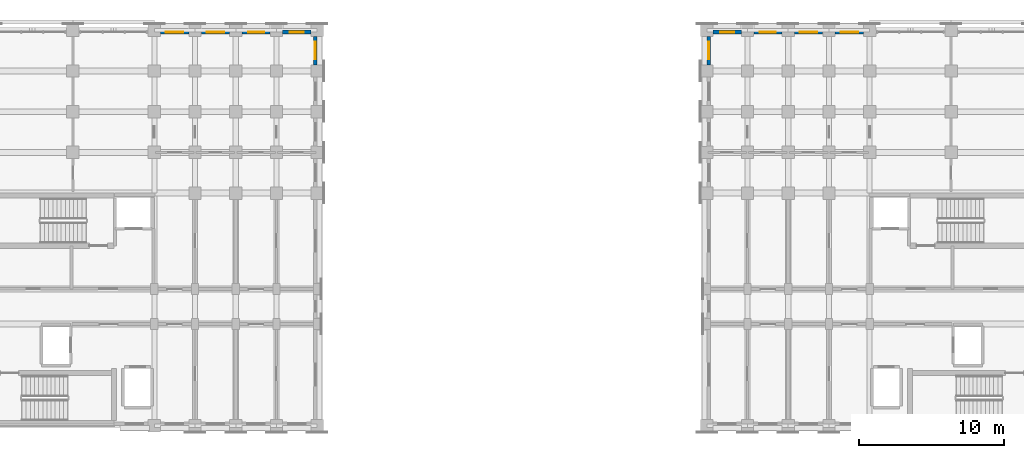
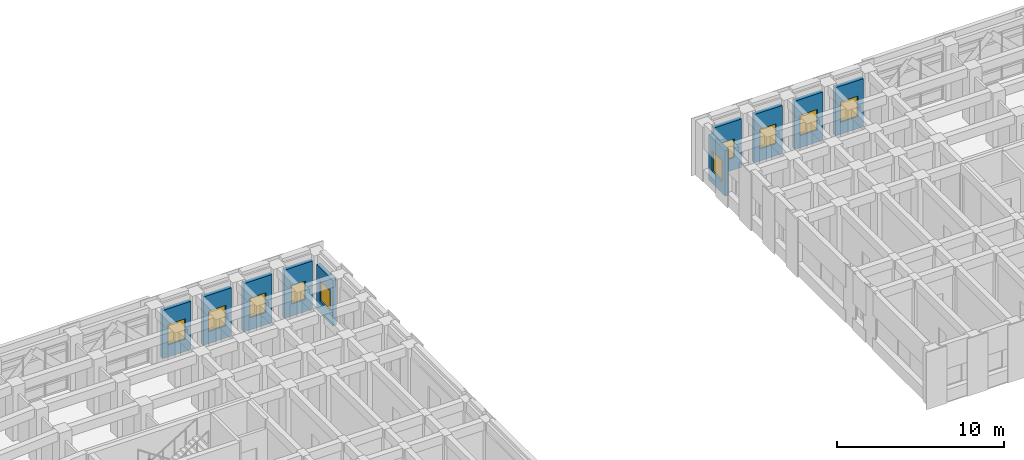
# One storey, part 79 of 97: 10 walls, 10 windows, 10 openings.
"""IFC4 building model written with IfcOpenShell, lengths in metres."""

from ifc_helpers import new_model, si_unit, direction, frame, frame_2d, origin, place, context, subcontext, project, spatial, rectangle, extrude, material, layer, layer_set, type_object, element, fill, save


model = new_model("IFC4")

# Units and contexts
model_context = context("Model", 3, precision=1e-05, world=origin(), true_north=direction((0.0, 1.0)))
body_context = subcontext(model_context, "Body", "Model", "MODEL_VIEW")
ifc_project = project(units=[si_unit("LENGTHUNIT", "METRE"), si_unit("AREAUNIT", "SQUARE_METRE"), si_unit("VOLUMEUNIT", "CUBIC_METRE"), si_unit("PLANEANGLEUNIT", "RADIAN"), si_unit("MASSUNIT", "GRAM", prefix="KILO")], contexts=[model_context])

# Site, building, storey
site_placement = place(None, origin())
site = spatial("IfcSite", under=ifc_project, at=site_placement, CompositionType="ELEMENT")
building_placement = place(site_placement, origin())
building = spatial("IfcBuilding", under=site, at=building_placement, Name="Kiranvali Square Residences", CompositionType="ELEMENT")
storey_placement = place(building_placement, frame((0.0, 0.0, 4.5)))
storey = spatial("IfcBuildingStorey", under=building, at=storey_placement, Name="L01", CompositionType="ELEMENT", Elevation=4.5)

# Wall, opening, window
ifc_material_1 = material(Name="Breathable lime-rendered clay brick masonry", Category="masonry")
ifc_layer = layer(ifc_material_1, 0.25)
ifc_layer_set = layer_set([ifc_layer], Name="Breathable lime-rendered clay brick masonry")
wall_type = type_object("IfcWallType", Name="WL-EXT-250", PredefinedType="STANDARD", material=ifc_layer_set)
wall_1_placement = place(storey_placement, frame((59.82861328125, 133.675048828125, 0.0), z_axis=(0.0, 0.0, 1.0), x_axis=(1.0, 0.0, 0.0)))
wall_1 = element("IfcWall", 1, at=wall_1_placement, inside=storey, type_object=wall_type, Name="L01 exterior wall A-L01-A1O-2", PredefinedType="STANDARD", context=body_context, shape_type="SweptSolid", body=[
    extrude(rectangle(XDim=1.94287109375, YDim=0.25, at=frame_2d((0.971435546875, 0.0))), origin(), (0.0, 0.0, 1.0), 3.52197265625),
])
opening_1_placement = place(wall_1_placement, frame((0.37158203125, 0.0, 0.8798828125)))
opening_1 = element("IfcOpeningElement", 2, at=opening_1_placement, cuts=wall_1, Name="Opening W-06", PredefinedType="OPENING", context=body_context, shape_type="SweptSolid", body=[
    extrude(rectangle(XDim=1.199951171875, YDim=1.5, at=frame_2d((0.60009765625, 0.75))), frame((0.0, 0.135009765625, 0.0), z_axis=(0.0, -1.0, 0.0), x_axis=(1.0, 0.0, 0.0)), (0.0, 0.0, 1.0), 0.27001953125),
])
ifc_material_2 = material(Name="Solar-control low-e double glazing", Category="glass")
window_type_1 = type_object("IfcWindowType", Name="WIN-RES-1200x1500", PartitioningType="SINGLE_PANEL", PredefinedType="WINDOW", material=ifc_material_2)
window_1_placement = place(opening_1_placement, origin())
window_1 = element("IfcWindow", 3, at=window_1_placement, inside=storey, type_object=window_type_1, Name="L01 recessed window A-L01-A1O-2", OverallHeight=1.5, OverallWidth=1.199951171875, PartitioningType="SINGLE_PANEL", PredefinedType="WINDOW", context=body_context, shape_type="SweptSolid", body=[
    extrude(rectangle(XDim=1.199951171875, YDim=1.5, at=frame_2d((0.60009765625, 0.75))), frame((0.0, 0.030029296875, 0.0), z_axis=(0.0, -1.0, 0.0), x_axis=(1.0, 0.0, 0.0)), (0.0, 0.0, 1.0), 0.06005859375),
])
fill(opening_1, window_1)

wall_2_placement = place(storey_placement, frame((62.62841796875, 133.675048828125, 0.0), z_axis=(0.0, 0.0, 1.0), x_axis=(1.0, 0.0, 0.0)))
wall_2 = element("IfcWall", 4, at=wall_2_placement, inside=storey, type_object=wall_type, Name="L01 exterior wall A-L01-A1O-3", PredefinedType="STANDARD", context=body_context, shape_type="SweptSolid", body=[
    extrude(rectangle(XDim=1.943115234375, YDim=0.25, at=frame_2d((0.9716796875, 0.0))), origin(), (0.0, 0.0, 1.0), 3.52197265625),
])
opening_2_placement = place(wall_2_placement, frame((0.37158203125, 0.0, 0.8798828125)))
opening_2 = element("IfcOpeningElement", 5, at=opening_2_placement, cuts=wall_2, Name="Opening W-06", PredefinedType="OPENING", context=body_context, shape_type="SweptSolid", body=[
    extrude(rectangle(XDim=1.199951171875, YDim=1.5, at=frame_2d((0.60009765625, 0.75))), frame((0.0, 0.135009765625, 0.0), z_axis=(0.0, -1.0, 0.0), x_axis=(1.0, 0.0, 0.0)), (0.0, 0.0, 1.0), 0.27001953125),
])
window_2_placement = place(opening_2_placement, origin())
window_2 = element("IfcWindow", 6, at=window_2_placement, inside=storey, type_object=window_type_1, Name="L01 recessed window A-L01-A1O-3", OverallHeight=1.5, OverallWidth=1.199951171875, PartitioningType="SINGLE_PANEL", PredefinedType="WINDOW", context=body_context, shape_type="SweptSolid", body=[
    extrude(rectangle(XDim=1.199951171875, YDim=1.5, at=frame_2d((0.60009765625, 0.75))), frame((0.0, 0.030029296875, 0.0), z_axis=(0.0, -1.0, 0.0), x_axis=(1.0, 0.0, 0.0)), (0.0, 0.0, 1.0), 0.06005859375),
])
fill(opening_2, window_2)

wall_3_placement = place(storey_placement, frame((65.428466796875, 133.675048828125, 0.0), z_axis=(0.0, 0.0, 1.0), x_axis=(1.0, 0.0, 0.0)))
wall_3 = element("IfcWall", 7, at=wall_3_placement, inside=storey, type_object=wall_type, Name="L01 exterior wall A-L01-A1O-4", PredefinedType="STANDARD", context=body_context, shape_type="SweptSolid", body=[
    extrude(rectangle(XDim=1.943115234375, YDim=0.25, at=frame_2d((0.9716796875, 0.0))), origin(), (0.0, 0.0, 1.0), 3.52197265625),
])
opening_3_placement = place(wall_3_placement, frame((0.42138671875, 0.0, 0.8798828125)))
opening_3 = element("IfcOpeningElement", 8, at=opening_3_placement, cuts=wall_3, Name="Opening W-15", PredefinedType="OPENING", context=body_context, shape_type="SweptSolid", body=[
    extrude(rectangle(XDim=1.10009765625, YDim=1.449951171875, at=frame_2d((0.550048828125, 0.72509765625))), frame((0.0, 0.135009765625, 0.0), z_axis=(0.0, -1.0, 0.0), x_axis=(1.0, 0.0, 0.0)), (0.0, 0.0, 1.0), 0.27001953125),
])
window_type_2 = type_object("IfcWindowType", Name="WIN-RES-1100x1450", PartitioningType="SINGLE_PANEL", PredefinedType="WINDOW", material=ifc_material_2)
window_3_placement = place(opening_3_placement, origin())
window_3 = element("IfcWindow", 9, at=window_3_placement, inside=storey, type_object=window_type_2, Name="L01 recessed window A-L01-A1O-4", OverallHeight=1.449951171875, OverallWidth=1.10009765625, PartitioningType="SINGLE_PANEL", PredefinedType="WINDOW", context=body_context, shape_type="SweptSolid", body=[
    extrude(rectangle(XDim=1.10009765625, YDim=1.449951171875, at=frame_2d((0.550048828125, 0.72509765625))), frame((0.0, 0.030029296875, 0.0), z_axis=(0.0, -1.0, 0.0), x_axis=(1.0, 0.0, 0.0)), (0.0, 0.0, 1.0), 0.06005859375),
])
fill(opening_3, window_3)

wall_4_placement = place(storey_placement, frame((68.228515625, 133.675048828125, 0.0), z_axis=(0.0, 0.0, 1.0), x_axis=(1.0, 0.0, 0.0)))
wall_4 = element("IfcWall", 10, at=wall_4_placement, inside=storey, type_object=wall_type, Name="L01 exterior wall A-L01-A1O-5", PredefinedType="STANDARD", context=body_context, shape_type="SweptSolid", body=[
    extrude(rectangle(XDim=1.94287109375, YDim=0.25, at=frame_2d((0.971435546875, 0.0))), origin(), (0.0, 0.0, 1.0), 3.52197265625),
])
opening_4_placement = place(wall_4_placement, frame((0.49658203125, 0.0, 0.8798828125)))
opening_4 = element("IfcOpeningElement", 11, at=opening_4_placement, cuts=wall_4, Name="Opening W-16", PredefinedType="OPENING", context=body_context, shape_type="SweptSolid", body=[
    extrude(rectangle(XDim=0.949951171875, YDim=1.35009765625, at=frame_2d((0.47509765625, 0.675048828125))), frame((0.0, 0.135009765625, 0.0), z_axis=(0.0, -1.0, 0.0), x_axis=(1.0, 0.0, 0.0)), (0.0, 0.0, 1.0), 0.27001953125),
])
window_type_3 = type_object("IfcWindowType", Name="WIN-RES-950x1350", PartitioningType="SINGLE_PANEL", PredefinedType="WINDOW", material=ifc_material_2)
window_4_placement = place(opening_4_placement, origin())
window_4 = element("IfcWindow", 12, at=window_4_placement, inside=storey, type_object=window_type_3, Name="L01 recessed window A-L01-A1O-5", OverallHeight=1.35009765625, OverallWidth=0.949951171875, PartitioningType="SINGLE_PANEL", PredefinedType="WINDOW", context=body_context, shape_type="SweptSolid", body=[
    extrude(rectangle(XDim=0.949951171875, YDim=1.35009765625, at=frame_2d((0.47509765625, 0.675048828125))), frame((0.0, 0.030029296875, 0.0), z_axis=(0.0, -1.0, 0.0), x_axis=(1.0, 0.0, 0.0)), (0.0, 0.0, 1.0), 0.06005859375),
])
fill(opening_4, window_4)

wall_5_placement = place(storey_placement, frame((70.47509765625, 131.419921875, 0.0), z_axis=(0.0, 0.0, 1.0), x_axis=(0.0, 1.0, 0.0)))
wall_5 = element("IfcWall", 13, at=wall_5_placement, inside=storey, type_object=wall_type, Name="L01 exterior wall A-L01-A1END-6", PredefinedType="STANDARD", context=body_context, shape_type="SweptSolid", body=[
    extrude(rectangle(XDim=1.9599609375, YDim=0.25, at=frame_2d((0.97998046875, 0.0))), origin(), (0.0, 0.0, 1.0), 3.322021484375),
])
opening_5_placement = place(wall_5_placement, frame((0.3798828125, 0.0, 0.8798828125)))
opening_5 = element("IfcOpeningElement", 14, at=opening_5_placement, cuts=wall_5, Name="Opening W-06", PredefinedType="OPENING", context=body_context, shape_type="SweptSolid", body=[
    extrude(rectangle(XDim=1.199951171875, YDim=1.5, at=frame_2d((0.60009765625, 0.75))), frame((0.0, 0.135009765625, 0.0), z_axis=(0.0, -1.0, 0.0), x_axis=(1.0, 0.0, 0.0)), (0.0, 0.0, 1.0), 0.27001953125),
])
window_5_placement = place(opening_5_placement, origin())
window_5 = element("IfcWindow", 15, at=window_5_placement, inside=storey, type_object=window_type_1, Name="L01 recessed window A-L01-A1END-6", OverallHeight=1.5, OverallWidth=1.199951171875, PartitioningType="SINGLE_PANEL", PredefinedType="WINDOW", context=body_context, shape_type="SweptSolid", body=[
    extrude(rectangle(XDim=1.199951171875, YDim=1.5, at=frame_2d((0.60009765625, 0.75))), frame((0.0, 0.030029296875, 0.0), z_axis=(0.0, -1.0, 0.0), x_axis=(1.0, 0.0, 0.0)), (0.0, 0.0, 1.0), 0.06005859375),
])
fill(opening_5, window_5)

wall_6_placement = place(storey_placement, frame((108.17138671875, 133.675048828125, 0.0), z_axis=(0.0, 0.0, 1.0), x_axis=(-1.0, 0.0, 0.0)))
wall_6 = element("IfcWall", 16, at=wall_6_placement, inside=storey, type_object=wall_type, Name="L01 exterior wall B-L01-A1O-2", PredefinedType="STANDARD", context=body_context, shape_type="SweptSolid", body=[
    extrude(rectangle(XDim=1.94287109375, YDim=0.25, at=frame_2d((0.971435546875, 0.0))), origin(), (0.0, 0.0, 1.0), 3.52197265625),
])
opening_6_placement = place(wall_6_placement, frame((0.37158203125, 0.0, 0.8798828125)))
opening_6 = element("IfcOpeningElement", 17, at=opening_6_placement, cuts=wall_6, Name="Opening W-06", PredefinedType="OPENING", context=body_context, shape_type="SweptSolid", body=[
    extrude(rectangle(XDim=1.199951171875, YDim=1.5, at=frame_2d((0.60009765625, 0.75))), frame((0.0, 0.135009765625, 0.0), z_axis=(0.0, -1.0, 0.0), x_axis=(1.0, 0.0, 0.0)), (0.0, 0.0, 1.0), 0.27001953125),
])
window_6_placement = place(opening_6_placement, origin())
window_6 = element("IfcWindow", 18, at=window_6_placement, inside=storey, type_object=window_type_1, Name="L01 recessed window B-L01-A1O-2", OverallHeight=1.5, OverallWidth=1.199951171875, PartitioningType="SINGLE_PANEL", PredefinedType="WINDOW", context=body_context, shape_type="SweptSolid", body=[
    extrude(rectangle(XDim=1.199951171875, YDim=1.5, at=frame_2d((0.60009765625, 0.75))), frame((0.0, 0.030029296875, 0.0), z_axis=(0.0, -1.0, 0.0), x_axis=(1.0, 0.0, 0.0)), (0.0, 0.0, 1.0), 0.06005859375),
])
fill(opening_6, window_6)

wall_7_placement = place(storey_placement, frame((105.37158203125, 133.675048828125, 0.0), z_axis=(0.0, 0.0, 1.0), x_axis=(-1.0, 0.0, 0.0)))
wall_7 = element("IfcWall", 19, at=wall_7_placement, inside=storey, type_object=wall_type, Name="L01 exterior wall B-L01-A1O-3", PredefinedType="STANDARD", context=body_context, shape_type="SweptSolid", body=[
    extrude(rectangle(XDim=1.943115234375, YDim=0.25, at=frame_2d((0.9716796875, 0.0))), origin(), (0.0, 0.0, 1.0), 3.52197265625),
])
opening_7_placement = place(wall_7_placement, frame((0.37158203125, 0.0, 0.8798828125)))
opening_7 = element("IfcOpeningElement", 20, at=opening_7_placement, cuts=wall_7, Name="Opening W-06", PredefinedType="OPENING", context=body_context, shape_type="SweptSolid", body=[
    extrude(rectangle(XDim=1.199951171875, YDim=1.5, at=frame_2d((0.60009765625, 0.75))), frame((0.0, 0.135009765625, 0.0), z_axis=(0.0, -1.0, 0.0), x_axis=(1.0, 0.0, 0.0)), (0.0, 0.0, 1.0), 0.27001953125),
])
window_7_placement = place(opening_7_placement, origin())
window_7 = element("IfcWindow", 21, at=window_7_placement, inside=storey, type_object=window_type_1, Name="L01 recessed window B-L01-A1O-3", OverallHeight=1.5, OverallWidth=1.199951171875, PartitioningType="SINGLE_PANEL", PredefinedType="WINDOW", context=body_context, shape_type="SweptSolid", body=[
    extrude(rectangle(XDim=1.199951171875, YDim=1.5, at=frame_2d((0.60009765625, 0.75))), frame((0.0, 0.030029296875, 0.0), z_axis=(0.0, -1.0, 0.0), x_axis=(1.0, 0.0, 0.0)), (0.0, 0.0, 1.0), 0.06005859375),
])
fill(opening_7, window_7)

wall_8_placement = place(storey_placement, frame((102.571533203125, 133.675048828125, 0.0), z_axis=(0.0, 0.0, 1.0), x_axis=(-1.0, 0.0, 0.0)))
wall_8 = element("IfcWall", 22, at=wall_8_placement, inside=storey, type_object=wall_type, Name="L01 exterior wall B-L01-A1O-4", PredefinedType="STANDARD", context=body_context, shape_type="SweptSolid", body=[
    extrude(rectangle(XDim=1.943115234375, YDim=0.25, at=frame_2d((0.9716796875, 0.0))), origin(), (0.0, 0.0, 1.0), 3.52197265625),
])
opening_8_placement = place(wall_8_placement, frame((0.42138671875, 0.0, 0.8798828125)))
opening_8 = element("IfcOpeningElement", 23, at=opening_8_placement, cuts=wall_8, Name="Opening W-15", PredefinedType="OPENING", context=body_context, shape_type="SweptSolid", body=[
    extrude(rectangle(XDim=1.10009765625, YDim=1.449951171875, at=frame_2d((0.550048828125, 0.72509765625))), frame((0.0, 0.135009765625, 0.0), z_axis=(0.0, -1.0, 0.0), x_axis=(1.0, 0.0, 0.0)), (0.0, 0.0, 1.0), 0.27001953125),
])
window_8_placement = place(opening_8_placement, origin())
window_8 = element("IfcWindow", 24, at=window_8_placement, inside=storey, type_object=window_type_2, Name="L01 recessed window B-L01-A1O-4", OverallHeight=1.449951171875, OverallWidth=1.10009765625, PartitioningType="SINGLE_PANEL", PredefinedType="WINDOW", context=body_context, shape_type="SweptSolid", body=[
    extrude(rectangle(XDim=1.10009765625, YDim=1.449951171875, at=frame_2d((0.550048828125, 0.72509765625))), frame((0.0, 0.030029296875, 0.0), z_axis=(0.0, -1.0, 0.0), x_axis=(1.0, 0.0, 0.0)), (0.0, 0.0, 1.0), 0.06005859375),
])
fill(opening_8, window_8)

wall_9_placement = place(storey_placement, frame((99.771484375, 133.675048828125, 0.0), z_axis=(0.0, 0.0, 1.0), x_axis=(-1.0, 0.0, 0.0)))
wall_9 = element("IfcWall", 25, at=wall_9_placement, inside=storey, type_object=wall_type, Name="L01 exterior wall B-L01-A1O-5", PredefinedType="STANDARD", context=body_context, shape_type="SweptSolid", body=[
    extrude(rectangle(XDim=1.94287109375, YDim=0.25, at=frame_2d((0.971435546875, 0.0))), origin(), (0.0, 0.0, 1.0), 3.52197265625),
])
opening_9_placement = place(wall_9_placement, frame((0.49658203125, 0.0, 0.8798828125)))
opening_9 = element("IfcOpeningElement", 26, at=opening_9_placement, cuts=wall_9, Name="Opening W-16", PredefinedType="OPENING", context=body_context, shape_type="SweptSolid", body=[
    extrude(rectangle(XDim=0.949951171875, YDim=1.35009765625, at=frame_2d((0.47509765625, 0.675048828125))), frame((0.0, 0.135009765625, 0.0), z_axis=(0.0, -1.0, 0.0), x_axis=(1.0, 0.0, 0.0)), (0.0, 0.0, 1.0), 0.27001953125),
])
window_9_placement = place(opening_9_placement, origin())
window_9 = element("IfcWindow", 27, at=window_9_placement, inside=storey, type_object=window_type_3, Name="L01 recessed window B-L01-A1O-5", OverallHeight=1.35009765625, OverallWidth=0.949951171875, PartitioningType="SINGLE_PANEL", PredefinedType="WINDOW", context=body_context, shape_type="SweptSolid", body=[
    extrude(rectangle(XDim=0.949951171875, YDim=1.35009765625, at=frame_2d((0.47509765625, 0.675048828125))), frame((0.0, 0.030029296875, 0.0), z_axis=(0.0, -1.0, 0.0), x_axis=(1.0, 0.0, 0.0)), (0.0, 0.0, 1.0), 0.06005859375),
])
fill(opening_9, window_9)

wall_10_placement = place(storey_placement, frame((97.52490234375, 131.419921875, 0.0), z_axis=(0.0, 0.0, 1.0), x_axis=(0.0, 1.0, 0.0)))
wall_10 = element("IfcWall", 28, at=wall_10_placement, inside=storey, type_object=wall_type, Name="L01 exterior wall B-L01-A1END-6", PredefinedType="STANDARD", context=body_context, shape_type="SweptSolid", body=[
    extrude(rectangle(XDim=1.9599609375, YDim=0.25, at=frame_2d((0.97998046875, 0.0))), origin(), (0.0, 0.0, 1.0), 3.322021484375),
])
opening_10_placement = place(wall_10_placement, frame((0.3798828125, 0.0, 0.8798828125)))
opening_10 = element("IfcOpeningElement", 29, at=opening_10_placement, cuts=wall_10, Name="Opening W-06", PredefinedType="OPENING", context=body_context, shape_type="SweptSolid", body=[
    extrude(rectangle(XDim=1.199951171875, YDim=1.5, at=frame_2d((0.60009765625, 0.75))), frame((0.0, 0.135009765625, 0.0), z_axis=(0.0, -1.0, 0.0), x_axis=(1.0, 0.0, 0.0)), (0.0, 0.0, 1.0), 0.27001953125),
])
window_10_placement = place(opening_10_placement, origin())
window_10 = element("IfcWindow", 30, at=window_10_placement, inside=storey, type_object=window_type_1, Name="L01 recessed window B-L01-A1END-6", OverallHeight=1.5, OverallWidth=1.199951171875, PartitioningType="SINGLE_PANEL", PredefinedType="WINDOW", context=body_context, shape_type="SweptSolid", body=[
    extrude(rectangle(XDim=1.199951171875, YDim=1.5, at=frame_2d((0.60009765625, 0.75))), frame((0.0, 0.030029296875, 0.0), z_axis=(0.0, -1.0, 0.0), x_axis=(1.0, 0.0, 0.0)), (0.0, 0.0, 1.0), 0.06005859375),
])
fill(opening_10, window_10)

save(model, "model.ifc")
